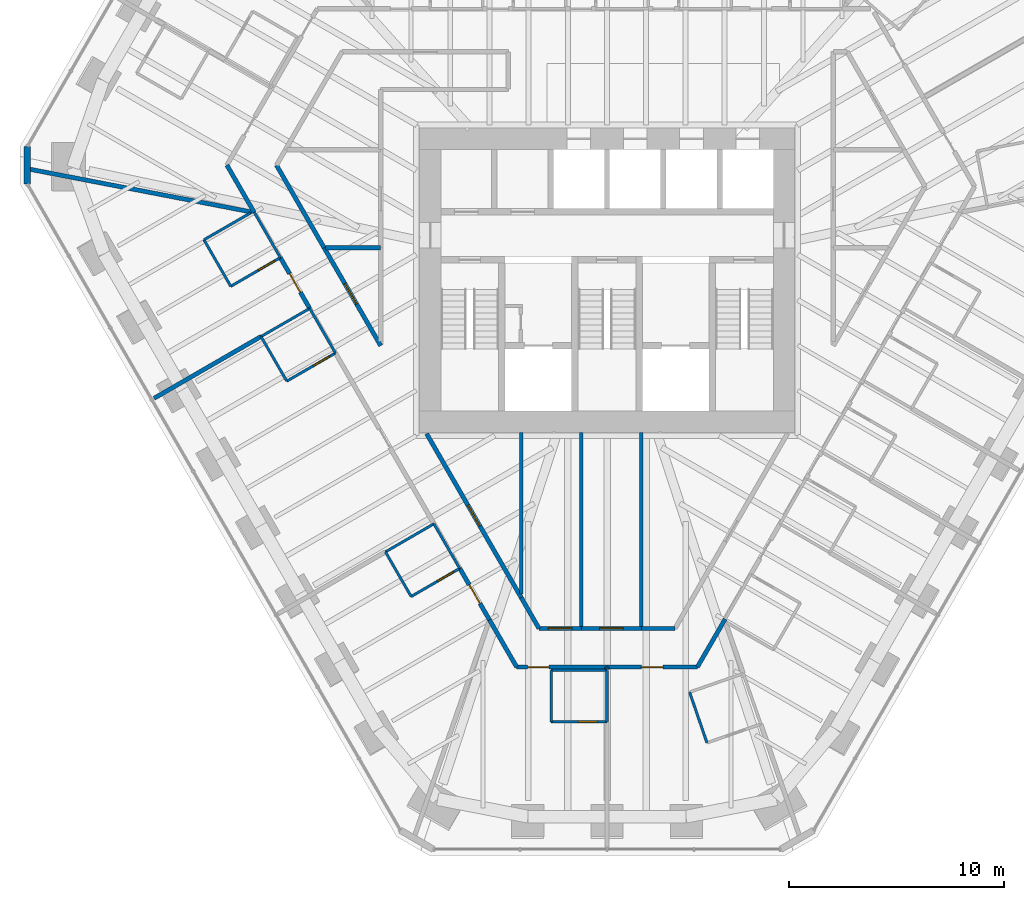
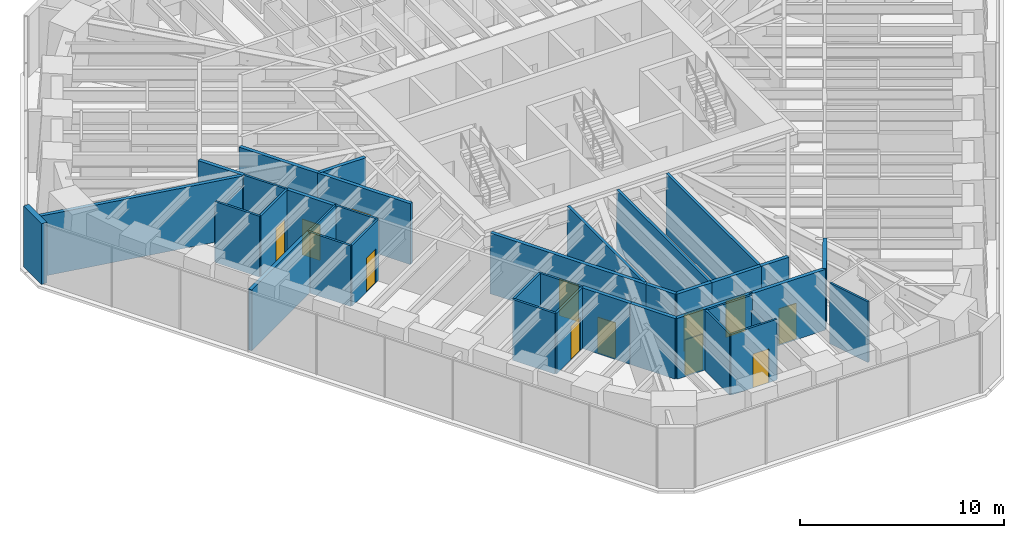
# One storey, part 11 of 17: 39 walls, 12 doors, 12 openings.
"""IFC4 building model written with IfcOpenShell, lengths in metres."""

from ifc_helpers import new_model, si_unit, direction, frame, frame_2d, origin, place, context, subcontext, project, spatial, rectangle, extrude, material, layer, layer_set, type_object, element, fill, save


model = new_model("IFC4")

# Units and contexts
model_context = context("Model", 3, precision=1e-05, world=origin(), true_north=direction((0.0, 1.0)))
body_context = subcontext(model_context, "Body", "Model", "MODEL_VIEW")
ifc_project = project(units=[si_unit("LENGTHUNIT", "METRE"), si_unit("AREAUNIT", "SQUARE_METRE"), si_unit("VOLUMEUNIT", "CUBIC_METRE"), si_unit("PLANEANGLEUNIT", "RADIAN"), si_unit("MASSUNIT", "GRAM", prefix="KILO")], contexts=[model_context])

# Site, building, storey
site_placement = place(None, origin())
site = spatial("IfcSite", under=ifc_project, at=site_placement, CompositionType="ELEMENT")
building_placement = place(site_placement, origin())
building = spatial("IfcBuilding", under=site, at=building_placement, Name="Sandreach Pilgrim Tower", CompositionType="ELEMENT")
storey_placement = place(building_placement, frame((0.0, 0.0, 232.60009765625)))
storey = spatial("IfcBuildingStorey", under=building, at=storey_placement, Name="L58", CompositionType="ELEMENT", Elevation=232.60009765625)

# Walls
ifc_material_1 = material(Name="Gypsum board on steel studs", Category="steel")
ifc_layer_1 = layer(ifc_material_1, 0.14990234375)
ifc_layer_set_1 = layer_set([ifc_layer_1], Name="Back of house wall 150")
wall_type_1 = type_object("IfcWallType", Name="Back of house wall 150", PredefinedType="PARTITIONING", material=ifc_layer_set_1)
wall_1_placement = place(storey_placement, frame((-4.0, -7.10009765625, 0.0), z_axis=(0.0, 0.0, 1.0), x_axis=(0.0, -1.0, 0.0)))
element("IfcWall", 1, at=wall_1_placement, inside=storey, type_object=wall_type_1, Name="Back of house wall L58-060", PredefinedType="PARTITIONING", context=body_context, shape_type="SweptSolid", body=[
    extrude(rectangle(XDim=7.514892578125, YDim=0.14990234375, at=frame_2d((3.75732421875, 0.0))), origin(), (0.0, 0.0, 1.0), 3.639892578125),
])
for number, where, z_axis, x_axis, name in (
    (2, (-1.199951171875, -7.10009765625, 0.0), (0.0, 0.0, 1.0), (0.0, -1.0, 0.0), "Back of house wall L58-069"),
    (3, (1.60009765625, -7.10009765625, 0.0), (0.0, 0.0, 1.0), (0.0, -1.0, 0.0), "Back of house wall L58-078"),
):
    element("IfcWall", number, at=place(storey_placement, frame(where, z_axis=z_axis, x_axis=x_axis)), inside=storey, type_object=wall_type_1, Name=name, PredefinedType="PARTITIONING", context=body_context, shape_type="SweptSolid", body=[
        extrude(rectangle(XDim=9.1298828125, YDim=0.14990234375, at=frame_2d((4.56494140625, 0.0))), origin(), (0.0, 0.0, 1.0), 3.639892578125),
    ])
ifc_material_2 = material(Name="Moisture-resistant gypsum board on steel studs", Category="steel")
ifc_layer_2 = layer(ifc_material_2, 0.1201171875)
ifc_layer_set_2 = layer_set([ifc_layer_2], Name="Bathroom partition 120")
wall_type_2 = type_object("IfcWallType", Name="Bathroom partition 120", PredefinedType="PARTITIONING", material=ifc_layer_set_2)
wall_2_placement = place(storey_placement, frame((-18.7900390625, 1.889892578125, 0.0), z_axis=(0.0, 0.0, 1.0), x_axis=(0.499159685399, -0.866510016372, 0.0)))
element("IfcWall", 4, at=wall_2_placement, inside=storey, type_object=wall_type_2, Name="Bathroom partition L58-008", PredefinedType="PARTITIONING", context=body_context, shape_type="SweptSolid", body=[
    extrude(rectangle(XDim=2.504150390625, YDim=0.1201171875, at=frame_2d((1.251953125, 0.0))), origin(), (0.0, 0.0, 1.0), 3.639892578125),
])

# Wall, opening, door
wall_3_placement = place(storey_placement, frame((-17.5400390625, -0.280029296875, 0.0), z_axis=(0.0, 0.0, 1.0), x_axis=(0.86498992408, 0.501789229896, 0.0)))
wall_3 = element("IfcWall", 5, at=wall_3_placement, inside=storey, type_object=wall_type_2, Name="Bathroom partition L58-013", PredefinedType="PARTITIONING", context=body_context, shape_type="SweptSolid", body=[
    extrude(rectangle(XDim=2.670654296875, YDim=0.1201171875, at=frame_2d((1.33544921875, 0.0))), origin(), (0.0, 0.0, 1.0), 3.639892578125),
])
opening_1_placement = place(wall_3_placement, frame((1.470458984375, 0.0, 0.0)))
opening_1 = element("IfcOpeningElement", 6, at=opening_1_placement, cuts=wall_3, Name="Opening D09-17B", PredefinedType="OPENING", context=body_context, shape_type="SweptSolid", body=[
    extrude(rectangle(XDim=0.89990234375, YDim=2.030029296875, at=frame_2d((0.449951171875, 1.01513671875))), frame((0.0, 0.06005859375, 0.0), z_axis=(0.0, -1.0, 0.0), x_axis=(1.0, 0.0, 0.0)), (0.0, 0.0, 1.0), 0.1201171875),
])
ifc_material_3 = material(Name="Timber door, steel frame", Category="steel")
door_type_1 = type_object("IfcDoorType", Name="Bathroom door", OperationType="SINGLE_SWING_LEFT", PredefinedType="DOOR", material=ifc_material_3)
door_1_placement = place(opening_1_placement, origin())
door_1 = element("IfcDoor", 7, at=door_1_placement, inside=storey, type_object=door_type_1, Name="Door 5817B", OperationType="SINGLE_SWING_RIGHT", OverallHeight=2.030029296875, OverallWidth=0.89990234375, PredefinedType="DOOR", context=body_context, shape_type="SweptSolid", body=[
    extrude(rectangle(XDim=0.89990234375, YDim=2.030029296875, at=frame_2d((0.449951171875, 1.01513671875))), frame((0.0, 0.02490234375, 0.0), z_axis=(0.0, -1.0, 0.0), x_axis=(1.0, 0.0, 0.0)), (0.0, 0.0, 1.0), 0.050048828125),
])
fill(opening_1, door_1)

# Walls
wall_4_placement = place(storey_placement, frame((-16.623779296875, 3.1376953125, 0.0), z_axis=(0.0, 0.0, 1.0), x_axis=(-0.866525185869, -0.499133351175, 0.0)))
element("IfcWall", 8, at=wall_4_placement, inside=storey, type_object=wall_type_2, Name="Bathroom partition L58-014", PredefinedType="PARTITIONING", context=body_context, shape_type="SweptSolid", body=[
    extrude(rectangle(XDim=2.5, YDim=0.1201171875, at=frame_2d((1.25, 0.0))), origin(), (0.0, 0.0, 1.0), 3.037841796875),
])
wall_5_placement = place(storey_placement, frame((-16.44677734375, 3.171875, 0.0), z_axis=(0.0, 0.0, 1.0), x_axis=(0.499242543719, -0.86646227993, 0.0)))
element("IfcWall", 9, at=wall_5_placement, inside=storey, type_object=wall_type_2, Name="Bathroom partition L58-016", PredefinedType="PARTITIONING", context=body_context, shape_type="SweptSolid", body=[
    extrude(rectangle(XDim=2.437255859375, YDim=0.1201171875, at=frame_2d((1.21875, 0.0))), origin(), (0.0, 0.0, 1.0), 3.639892578125),
])
wall_6_placement = place(storey_placement, frame((-16.1298828125, -2.6201171875, 0.0), z_axis=(0.0, 0.0, 1.0), x_axis=(0.499737123639, -0.866177122335, 0.0)))
element("IfcWall", 10, at=wall_6_placement, inside=storey, type_object=wall_type_2, Name="Bathroom partition L58-017", PredefinedType="PARTITIONING", context=body_context, shape_type="SweptSolid", body=[
    extrude(rectangle(XDim=2.401123046875, YDim=0.1201171875, at=frame_2d((1.20068359375, 0.0))), origin(), (0.0, 0.0, 1.0), 3.639892578125),
])
wall_7_placement = place(storey_placement, frame((-16.1298828125, -2.6201171875, 0.0), z_axis=(0.0, 0.0, 1.0), x_axis=(0.866114241029, 0.499846097802, 0.0)))
element("IfcWall", 11, at=wall_7_placement, inside=storey, type_object=wall_type_2, Name="Bathroom partition L58-018", PredefinedType="PARTITIONING", context=body_context, shape_type="SweptSolid", body=[
    extrude(rectangle(XDim=2.620849609375, YDim=0.1201171875, at=frame_2d((1.310546875, 0.0))), origin(), (0.0, 0.0, 1.0), 3.639892578125),
])

# Wall, opening, door
wall_8_placement = place(storey_placement, frame((-14.929931640625, -4.699951171875, 0.0), z_axis=(0.0, 0.0, 1.0), x_axis=(0.866114241029, 0.499846097802, 0.0)))
wall_8 = element("IfcWall", 12, at=wall_8_placement, inside=storey, type_object=wall_type_2, Name="Bathroom partition L58-026", PredefinedType="PARTITIONING", context=body_context, shape_type="SweptSolid", body=[
    extrude(rectangle(XDim=2.620849609375, YDim=0.1201171875, at=frame_2d((1.310546875, 0.0))), origin(), (0.0, 0.0, 1.0), 3.639892578125),
])
opening_2_placement = place(wall_8_placement, frame((1.4208984375, 0.0, 0.0)))
opening_2 = element("IfcOpeningElement", 13, at=opening_2_placement, cuts=wall_8, Name="Opening D09-16B", PredefinedType="OPENING", context=body_context, shape_type="SweptSolid", body=[
    extrude(rectangle(XDim=0.89990234375, YDim=2.030029296875, at=frame_2d((0.449951171875, 1.01513671875))), frame((0.0, 0.06005859375, 0.0), z_axis=(0.0, -1.0, 0.0), x_axis=(1.0, 0.0, 0.0)), (0.0, 0.0, 1.0), 0.1201171875),
])
door_2_placement = place(opening_2_placement, origin())
door_2 = element("IfcDoor", 14, at=door_2_placement, inside=storey, type_object=door_type_1, Name="Door 5816B", OperationType="SINGLE_SWING_RIGHT", OverallHeight=2.030029296875, OverallWidth=0.89990234375, PredefinedType="DOOR", context=body_context, shape_type="SweptSolid", body=[
    extrude(rectangle(XDim=0.89990234375, YDim=2.030029296875, at=frame_2d((0.449951171875, 1.01513671875))), frame((0.0, 0.02490234375, 0.0), z_axis=(0.0, -1.0, 0.0), x_axis=(1.0, 0.0, 0.0)), (0.0, 0.0, 1.0), 0.050048828125),
])
fill(opening_2, door_2)

# Walls
for number, where, z_axis, x_axis, name in (
    (15, (-13.860107421875, -1.31005859375, 0.0), (0.0, 0.0, 1.0), (0.499813401482, -0.866133109688, 0.0), "Bathroom partition L58-029"),
    (16, (-10.330078125, -12.659912109375, 0.0), (0.0, 0.0, 1.0), (0.499693115345, -0.866202511239, 0.0), "Bathroom partition L58-041"),
):
    element("IfcWall", number, at=place(storey_placement, frame(where, z_axis=z_axis, x_axis=x_axis)), inside=storey, type_object=wall_type_2, Name=name, PredefinedType="PARTITIONING", context=body_context, shape_type="SweptSolid", body=[
        extrude(rectangle(XDim=2.4013671875, YDim=0.1201171875, at=frame_2d((1.20068359375, 0.0))), origin(), (0.0, 0.0, 1.0), 3.639892578125),
    ])
wall_9_placement = place(storey_placement, frame((-10.330078125, -12.659912109375, 0.0), z_axis=(0.0, 0.0, 1.0), x_axis=(0.865195830568, 0.501434118073, 0.0)))
element("IfcWall", 17, at=wall_9_placement, inside=storey, type_object=wall_type_2, Name="Bathroom partition L58-042", PredefinedType="PARTITIONING", context=body_context, shape_type="SweptSolid", body=[
    extrude(rectangle(XDim=2.612060546875, YDim=0.1201171875, at=frame_2d((1.30615234375, 0.0))), origin(), (0.0, 0.0, 1.0), 3.639892578125),
])

# Wall, opening, door
wall_10_placement = place(storey_placement, frame((-9.1298828125, -14.739990234375, 0.0), z_axis=(0.0, 0.0, 1.0), x_axis=(0.865131772832, 0.501544629755, 0.0)))
wall_10 = element("IfcWall", 18, at=wall_10_placement, inside=storey, type_object=wall_type_2, Name="Bathroom partition L58-043", PredefinedType="PARTITIONING", context=body_context, shape_type="SweptSolid", body=[
    extrude(rectangle(XDim=2.612060546875, YDim=0.1201171875, at=frame_2d((1.30615234375, 0.0))), origin(), (0.0, 0.0, 1.0), 3.639892578125),
])
opening_3_placement = place(wall_10_placement, frame((1.412109375, 0.0, 0.0)))
opening_3 = element("IfcOpeningElement", 19, at=opening_3_placement, cuts=wall_10, Name="Opening D09-15B", PredefinedType="OPENING", context=body_context, shape_type="SweptSolid", body=[
    extrude(rectangle(XDim=0.89990234375, YDim=2.030029296875, at=frame_2d((0.449951171875, 1.01513671875))), frame((0.0, 0.06005859375, 0.0), z_axis=(0.0, -1.0, 0.0), x_axis=(1.0, 0.0, 0.0)), (0.0, 0.0, 1.0), 0.1201171875),
])
door_3_placement = place(opening_3_placement, origin())
door_3 = element("IfcDoor", 20, at=door_3_placement, inside=storey, type_object=door_type_1, Name="Door 5815B", OperationType="SINGLE_SWING_RIGHT", OverallHeight=2.030029296875, OverallWidth=0.89990234375, PredefinedType="DOOR", context=body_context, shape_type="SweptSolid", body=[
    extrude(rectangle(XDim=0.89990234375, YDim=2.030029296875, at=frame_2d((0.449951171875, 1.01513671875))), frame((0.0, 0.02490234375, 0.0), z_axis=(0.0, -1.0, 0.0), x_axis=(1.0, 0.0, 0.0)), (0.0, 0.0, 1.0), 0.050048828125),
])
fill(opening_3, door_3)

# Wall
wall_11_placement = place(storey_placement, frame((-8.070068359375, -11.35009765625, 0.0), z_axis=(0.0, 0.0, 1.0), x_axis=(0.499737123639, -0.866177122335, 0.0)))
element("IfcWall", 21, at=wall_11_placement, inside=storey, type_object=wall_type_2, Name="Bathroom partition L58-047", PredefinedType="PARTITIONING", context=body_context, shape_type="SweptSolid", body=[
    extrude(rectangle(XDim=2.401123046875, YDim=0.1201171875, at=frame_2d((1.20068359375, 0.0))), origin(), (0.0, 0.0, 1.0), 3.639892578125),
])

# Wall, opening, door
wall_12_placement = place(storey_placement, frame((-2.60009765625, -20.580078125, 0.0), z_axis=(0.0, 0.0, 1.0), x_axis=(1.0, 0.0, 0.0)))
wall_12 = element("IfcWall", 22, at=wall_12_placement, inside=storey, type_object=wall_type_2, Name="Bathroom partition L58-062", PredefinedType="PARTITIONING", context=body_context, shape_type="SweptSolid", body=[
    extrude(rectangle(XDim=2.60009765625, YDim=0.1201171875, at=frame_2d((1.300048828125, 0.0))), origin(), (0.0, 0.0, 1.0), 3.639892578125),
])
opening_4_placement = place(wall_12_placement, frame((1.25, 0.0, 0.0)))
opening_4 = element("IfcOpeningElement", 23, at=opening_4_placement, cuts=wall_12, Name="Opening D09-14B", PredefinedType="OPENING", context=body_context, shape_type="SweptSolid", body=[
    extrude(rectangle(XDim=0.89990234375, YDim=2.030029296875, at=frame_2d((0.449951171875, 1.01513671875))), frame((0.0, 0.06005859375, 0.0), z_axis=(0.0, -1.0, 0.0), x_axis=(1.0, 0.0, 0.0)), (0.0, 0.0, 1.0), 0.1201171875),
])
door_4_placement = place(opening_4_placement, origin())
door_4 = element("IfcDoor", 24, at=door_4_placement, inside=storey, type_object=door_type_1, Name="Door 5814B", OperationType="SINGLE_SWING_RIGHT", OverallHeight=2.030029296875, OverallWidth=0.89990234375, PredefinedType="DOOR", context=body_context, shape_type="SweptSolid", body=[
    extrude(rectangle(XDim=0.89990234375, YDim=2.030029296875, at=frame_2d((0.449951171875, 1.01513671875))), frame((0.0, 0.02490234375, 0.0), z_axis=(0.0, -1.0, 0.0), x_axis=(1.0, 0.0, 0.0)), (0.0, 0.0, 1.0), 0.050048828125),
])
fill(opening_4, door_4)

# Walls
wall_13_placement = place(storey_placement, frame((-2.60009765625, -18.179931640625, 0.0), z_axis=(0.0, 0.0, 1.0), x_axis=(0.0, -1.0, 0.0)))
element("IfcWall", 25, at=wall_13_placement, inside=storey, type_object=wall_type_2, Name="Bathroom partition L58-063", PredefinedType="PARTITIONING", context=body_context, shape_type="SweptSolid", body=[
    extrude(rectangle(XDim=2.400146484375, YDim=0.1201171875, at=frame_2d((1.2001953125, 0.0))), origin(), (0.0, 0.0, 1.0), 3.639892578125),
])
wall_14_placement = place(storey_placement, frame((0.0, -20.580078125, 0.0), z_axis=(0.0, 0.0, 1.0), x_axis=(0.0, 1.0, 0.0)))
element("IfcWall", 26, at=wall_14_placement, inside=storey, type_object=wall_type_2, Name="Bathroom partition L58-073", PredefinedType="PARTITIONING", context=body_context, shape_type="SweptSolid", body=[
    extrude(rectangle(XDim=2.400146484375, YDim=0.1201171875, at=frame_2d((1.2001953125, 0.0))), origin(), (0.0, 0.0, 1.0), 2.7255859375),
])
wall_15_placement = place(storey_placement, frame((0.0, -18.179931640625, 0.0), z_axis=(0.0, 0.0, 1.0), x_axis=(-1.0, 0.0, 0.0)))
element("IfcWall", 27, at=wall_15_placement, inside=storey, type_object=wall_type_2, Name="Bathroom partition L58-074", PredefinedType="PARTITIONING", context=body_context, shape_type="SweptSolid", body=[
    extrude(rectangle(XDim=2.60009765625, YDim=0.1201171875, at=frame_2d((1.300048828125, 0.0))), origin(), (0.0, 0.0, 1.0), 3.639892578125),
])
wall_16_placement = place(storey_placement, frame((3.85009765625, -19.199951171875, 0.0), z_axis=(0.0, 0.0, 1.0), x_axis=(0.324551952924, -0.945867871245, 0.0)))
element("IfcWall", 28, at=wall_16_placement, inside=storey, type_object=wall_type_2, Name="Bathroom partition L58-086", PredefinedType="PARTITIONING", context=body_context, shape_type="SweptSolid", body=[
    extrude(rectangle(XDim=2.4951171875, YDim=0.1201171875, at=frame_2d((1.24755859375, 0.0))), origin(), (0.0, 0.0, 1.0), 3.639892578125),
])
ifc_material_4 = material(Name="Gypsum board on steel studs, two layers each side", Category="steel")
ifc_layer_3 = layer(ifc_material_4, 0.199951171875)
ifc_layer_set_3 = layer_set([ifc_layer_3], Name="Corridor wall 200")
wall_type_3 = type_object("IfcWallType", Name="Corridor wall 200", PredefinedType="PARTITIONING", material=ifc_layer_set_3)
wall_17_placement = place(storey_placement, frame((-17.719970703125, 5.3701171875, 0.0), z_axis=(0.0, 0.0, 1.0), x_axis=(0.499922110319, -0.866070368743, 0.0)))
element("IfcWall", 29, at=wall_17_placement, inside=storey, type_object=wall_type_3, Name="Corridor wall L58-011", PredefinedType="PARTITIONING", context=body_context, shape_type="SweptSolid", body=[
    extrude(rectangle(XDim=2.54052734375, YDim=0.199951171875, at=frame_2d((1.270263671875, 0.0))), origin(), (0.0, 0.0, 1.0), 3.639892578125),
])

# Wall, opening, door
wall_18_placement = place(storey_placement, frame((-15.22998046875, 1.06005859375, 0.0), z_axis=(0.0, 0.0, 1.0), x_axis=(0.500406860043, -0.865790375565, 0.0)))
wall_18 = element("IfcWall", 30, at=wall_18_placement, inside=storey, type_object=wall_type_3, Name="Corridor wall L58-024", PredefinedType="PARTITIONING", context=body_context, shape_type="SweptSolid", body=[
    extrude(rectangle(XDim=2.737548828125, YDim=0.199951171875, at=frame_2d((1.36865234375, 0.0))), origin(), (0.0, 0.0, 1.0), 3.639892578125),
])
opening_5_placement = place(wall_18_placement, frame((0.86865234375, 0.0, 0.0)))
opening_5 = element("IfcOpeningElement", 31, at=opening_5_placement, cuts=wall_18, Name="Opening D10-17", PredefinedType="OPENING", context=body_context, shape_type="SweptSolid", body=[
    extrude(rectangle(XDim=1.0, YDim=2.1298828125, at=frame_2d((0.5, 1.06494140625))), frame((0.0, 0.10009765625, 0.0), z_axis=(0.0, -1.0, 0.0), x_axis=(1.0, 0.0, 0.0)), (0.0, 0.0, 1.0), 0.199951171875),
])
ifc_material_5 = material(Name="Steel door and frame", Category="steel")
door_type_2 = type_object("IfcDoorType", Name="Guest room entry door", OperationType="SINGLE_SWING_LEFT", PredefinedType="DOOR", material=ifc_material_5)
door_5_placement = place(opening_5_placement, origin())
door_5 = element("IfcDoor", 32, at=door_5_placement, inside=storey, type_object=door_type_2, Name="Door 5817", OperationType="SINGLE_SWING_LEFT", OverallHeight=2.1298828125, OverallWidth=1.0, PredefinedType="DOOR", context=body_context, shape_type="SweptSolid", body=[
    extrude(rectangle(XDim=1.0, YDim=2.1298828125, at=frame_2d((0.5, 1.06494140625))), frame((0.0, 0.02490234375, 0.0), z_axis=(0.0, -1.0, 0.0), x_axis=(1.0, 0.0, 0.0)), (0.0, 0.0, 1.0), 0.050048828125),
])
fill(opening_5, door_5)

# Wall
wall_19_placement = place(storey_placement, frame((-13.18994140625, 1.52001953125, 0.0), z_axis=(0.0, 0.0, 1.0), x_axis=(-0.499513190454, 0.866306281036, 0.0)))
element("IfcWall", 33, at=wall_19_placement, inside=storey, type_object=wall_type_3, Name="Corridor wall L58-031", PredefinedType="PARTITIONING", context=body_context, shape_type="SweptSolid", body=[
    extrude(rectangle(XDim=4.4443359375, YDim=0.199951171875, at=frame_2d((2.22216796875, 0.0))), origin(), (0.0, 0.0, 1.0), 3.639892578125),
])

# Wall, opening, door
wall_20_placement = place(storey_placement, frame((-10.550048828125, -3.050048828125, 0.0), z_axis=(0.0, 0.0, 1.0), x_axis=(-0.500193590286, 0.865913605527, 0.0)))
wall_20 = element("IfcWall", 34, at=wall_20_placement, inside=storey, type_object=wall_type_3, Name="Corridor wall L58-037", PredefinedType="PARTITIONING", context=body_context, shape_type="SweptSolid", body=[
    extrude(rectangle(XDim=5.27783203125, YDim=0.199951171875, at=frame_2d((2.638916015625, 0.0))), origin(), (0.0, 0.0, 1.0), 3.639892578125),
])
opening_6_placement = place(wall_20_placement, frame((2.25, 0.0, 0.0)))
opening_6 = element("IfcOpeningElement", 35, at=opening_6_placement, cuts=wall_20, Name="Opening D11H-M02", PredefinedType="OPENING", context=body_context, shape_type="SweptSolid", body=[
    extrude(rectangle(XDim=1.10009765625, YDim=2.199951171875, at=frame_2d((0.550048828125, 1.10009765625))), frame((0.0, 0.10009765625, 0.0), z_axis=(0.0, -1.0, 0.0), x_axis=(1.0, 0.0, 0.0)), (0.0, 0.0, 1.0), 0.199951171875),
])
ifc_material_6 = material(Name="Steel door and frame", Category="steel")
door_type_3 = type_object("IfcDoorType", Name="Back of house door", OperationType="SINGLE_SWING_LEFT", PredefinedType="DOOR", material=ifc_material_6)
door_6_placement = place(opening_6_placement, origin())
door_6 = element("IfcDoor", 36, at=door_6_placement, inside=storey, type_object=door_type_3, Name="Door 58M02", OperationType="SINGLE_SWING_RIGHT", OverallHeight=2.199951171875, OverallWidth=1.10009765625, PredefinedType="DOOR", context=body_context, shape_type="SweptSolid", body=[
    extrude(rectangle(XDim=1.10009765625, YDim=2.199951171875, at=frame_2d((0.550048828125, 1.10009765625))), frame((0.0, 0.02490234375, 0.0), z_axis=(0.0, -1.0, 0.0), x_axis=(1.0, 0.0, 0.0)), (0.0, 0.0, 1.0), 0.050048828125),
])
fill(opening_6, door_6)

wall_21_placement = place(storey_placement, frame((-6.865234375, -13.42724609375, 0.0), z_axis=(0.0, 0.0, 1.0), x_axis=(0.499453176768, -0.866340882226, 0.0)))
wall_21 = element("IfcWall", 37, at=wall_21_placement, inside=storey, type_object=wall_type_3, Name="Corridor wall L58-048", PredefinedType="PARTITIONING", context=body_context, shape_type="SweptSolid", body=[
    extrude(rectangle(XDim=2.7734375, YDim=0.199951171875, at=frame_2d((1.38671875, 0.0))), origin(), (0.0, 0.0, 1.0), 3.639892578125),
])
opening_7_placement = place(wall_21_placement, frame((0.88671875, 0.0, 0.0)))
opening_7 = element("IfcOpeningElement", 38, at=opening_7_placement, cuts=wall_21, Name="Opening D10-15", PredefinedType="OPENING", context=body_context, shape_type="SweptSolid", body=[
    extrude(rectangle(XDim=1.0, YDim=2.1298828125, at=frame_2d((0.5, 1.06494140625))), frame((0.0, 0.10009765625, 0.0), z_axis=(0.0, -1.0, 0.0), x_axis=(1.0, 0.0, 0.0)), (0.0, 0.0, 1.0), 0.199951171875),
])
door_7_placement = place(opening_7_placement, origin())
door_7 = element("IfcDoor", 39, at=door_7_placement, inside=storey, type_object=door_type_2, Name="Door 5815", OperationType="SINGLE_SWING_LEFT", OverallHeight=2.1298828125, OverallWidth=1.0, PredefinedType="DOOR", context=body_context, shape_type="SweptSolid", body=[
    extrude(rectangle(XDim=1.0, YDim=2.1298828125, at=frame_2d((0.5, 1.06494140625))), frame((0.0, 0.02490234375, 0.0), z_axis=(0.0, -1.0, 0.0), x_axis=(1.0, 0.0, 0.0)), (0.0, 0.0, 1.0), 0.050048828125),
])
fill(opening_7, door_7)

# Wall
wall_22_placement = place(storey_placement, frame((-5.47998046875, -15.830078125, 0.0), z_axis=(0.0, 0.0, 1.0), x_axis=(0.499963722229, -0.866046347752, 0.0)))
element("IfcWall", 40, at=wall_22_placement, inside=storey, type_object=wall_type_3, Name="Corridor wall L58-053", PredefinedType="PARTITIONING", context=body_context, shape_type="SweptSolid", body=[
    extrude(rectangle(XDim=2.540283203125, YDim=0.199951171875, at=frame_2d((1.27001953125, 0.0))), origin(), (0.0, 0.0, 1.0), 3.639892578125),
])

# Wall, opening, door
wall_23_placement = place(storey_placement, frame((-4.2099609375, -18.030029296875, 0.0), z_axis=(0.0, 0.0, 1.0), x_axis=(1.0, 0.0, 0.0)))
wall_23 = element("IfcWall", 41, at=wall_23_placement, inside=storey, type_object=wall_type_3, Name="Corridor wall L58-058", PredefinedType="PARTITIONING", context=body_context, shape_type="SweptSolid", body=[
    extrude(rectangle(XDim=4.2099609375, YDim=0.199951171875, at=frame_2d((2.10498046875, 0.0))), origin(), (0.0, 0.0, 1.0), 3.639892578125),
])
opening_8_placement = place(wall_23_placement, frame((0.5048828125, 0.0, 0.0)))
opening_8 = element("IfcOpeningElement", 42, at=opening_8_placement, cuts=wall_23, Name="Opening D10-14", PredefinedType="OPENING", context=body_context, shape_type="SweptSolid", body=[
    extrude(rectangle(XDim=1.0, YDim=2.1298828125, at=frame_2d((0.5, 1.06494140625))), frame((0.0, 0.10009765625, 0.0), z_axis=(0.0, -1.0, 0.0), x_axis=(1.0, 0.0, 0.0)), (0.0, 0.0, 1.0), 0.199951171875),
])
door_8_placement = place(opening_8_placement, origin())
door_8 = element("IfcDoor", 43, at=door_8_placement, inside=storey, type_object=door_type_2, Name="Door 5814", OperationType="SINGLE_SWING_LEFT", OverallHeight=2.1298828125, OverallWidth=1.0, PredefinedType="DOOR", context=body_context, shape_type="SweptSolid", body=[
    extrude(rectangle(XDim=1.0, YDim=2.1298828125, at=frame_2d((0.5, 1.06494140625))), frame((0.0, 0.02490234375, 0.0), z_axis=(0.0, -1.0, 0.0), x_axis=(1.0, 0.0, 0.0)), (0.0, 0.0, 1.0), 0.050048828125),
])
fill(opening_8, door_8)

wall_24_placement = place(storey_placement, frame((-4.0, -14.7900390625, 0.0), z_axis=(0.0, 0.0, 1.0), x_axis=(-0.499916512745, 0.866073599808, 0.0)))
wall_24 = element("IfcWall", 44, at=wall_24_placement, inside=storey, type_object=wall_type_3, Name="Corridor wall L58-059", PredefinedType="PARTITIONING", context=body_context, shape_type="SweptSolid", body=[
    extrude(rectangle(XDim=8.8212890625, YDim=0.199951171875, at=frame_2d((4.41064453125, 0.0))), origin(), (0.0, 0.0, 1.0), 3.639892578125),
])
opening_9_placement = place(wall_24_placement, frame((3.860595703125, 0.0, 0.0)))
opening_9 = element("IfcOpeningElement", 45, at=opening_9_placement, cuts=wall_24, Name="Opening D11H-S1", PredefinedType="OPENING", context=body_context, shape_type="SweptSolid", body=[
    extrude(rectangle(XDim=1.10009765625, YDim=2.199951171875, at=frame_2d((0.550048828125, 1.10009765625))), frame((0.0, 0.10009765625, 0.0), z_axis=(0.0, -1.0, 0.0), x_axis=(1.0, 0.0, 0.0)), (0.0, 0.0, 1.0), 0.199951171875),
])
door_9_placement = place(opening_9_placement, origin())
door_9 = element("IfcDoor", 46, at=door_9_placement, inside=storey, type_object=door_type_3, Name="Door 58S1", OperationType="SINGLE_SWING_LEFT", OverallHeight=2.199951171875, OverallWidth=1.10009765625, PredefinedType="DOOR", context=body_context, shape_type="SweptSolid", body=[
    extrude(rectangle(XDim=1.10009765625, YDim=2.199951171875, at=frame_2d((0.550048828125, 1.10009765625))), frame((0.0, 0.02490234375, 0.0), z_axis=(0.0, -1.0, 0.0), x_axis=(1.0, 0.0, 0.0)), (0.0, 0.0, 1.0), 0.050048828125),
])
fill(opening_9, door_9)

# Wall
wall_25_placement = place(storey_placement, frame((-3.169921875, -16.22998046875, 0.0), z_axis=(0.0, 0.0, 1.0), x_axis=(-0.499425709803, 0.866356716594, 0.0)))
element("IfcWall", 47, at=wall_25_placement, inside=storey, type_object=wall_type_3, Name="Corridor wall L58-061", PredefinedType="PARTITIONING", context=body_context, shape_type="SweptSolid", body=[
    extrude(rectangle(XDim=1.662109375, YDim=0.199951171875, at=frame_2d((0.8310546875, 0.0))), origin(), (0.0, 0.0, 1.0), 3.639892578125),
])

# Wall, opening, door
wall_26_placement = place(storey_placement, frame((-1.199951171875, -16.22998046875, 0.0), z_axis=(0.0, 0.0, 1.0), x_axis=(-1.0, 0.0, 0.0)))
wall_26 = element("IfcWall", 48, at=wall_26_placement, inside=storey, type_object=wall_type_3, Name="Corridor wall L58-068", PredefinedType="PARTITIONING", context=body_context, shape_type="SweptSolid", body=[
    extrude(rectangle(XDim=1.969970703125, YDim=0.199951171875, at=frame_2d((0.98486328125, 0.0))), origin(), (0.0, 0.0, 1.0), 3.639892578125),
])
opening_10_placement = place(wall_26_placement, frame((0.43505859375, 0.0, 0.0)))
opening_10 = element("IfcOpeningElement", 49, at=opening_10_placement, cuts=wall_26, Name="Opening D11H-S2", PredefinedType="OPENING", context=body_context, shape_type="SweptSolid", body=[
    extrude(rectangle(XDim=1.10009765625, YDim=2.199951171875, at=frame_2d((0.550048828125, 1.10009765625))), frame((0.0, 0.10009765625, 0.0), z_axis=(0.0, -1.0, 0.0), x_axis=(1.0, 0.0, 0.0)), (0.0, 0.0, 1.0), 0.199951171875),
])
door_10_placement = place(opening_10_placement, origin())
door_10 = element("IfcDoor", 50, at=door_10_placement, inside=storey, type_object=door_type_3, Name="Door 58S2", OperationType="SINGLE_SWING_LEFT", OverallHeight=2.199951171875, OverallWidth=1.10009765625, PredefinedType="DOOR", context=body_context, shape_type="SweptSolid", body=[
    extrude(rectangle(XDim=1.10009765625, YDim=2.199951171875, at=frame_2d((0.550048828125, 1.10009765625))), frame((0.0, 0.02490234375, 0.0), z_axis=(0.0, -1.0, 0.0), x_axis=(1.0, 0.0, 0.0)), (0.0, 0.0, 1.0), 0.050048828125),
])
fill(opening_10, door_10)

wall_27_placement = place(storey_placement, frame((0.0, -18.030029296875, 0.0), z_axis=(0.0, 0.0, 1.0), x_axis=(1.0, 0.0, 0.0)))
wall_27 = element("IfcWall", 51, at=wall_27_placement, inside=storey, type_object=wall_type_3, Name="Corridor wall L58-076", PredefinedType="PARTITIONING", context=body_context, shape_type="SweptSolid", body=[
    extrude(rectangle(XDim=4.2099609375, YDim=0.199951171875, at=frame_2d((2.10498046875, 0.0))), origin(), (0.0, 0.0, 1.0), 3.639892578125),
])
opening_11_placement = place(wall_27_placement, frame((1.60498046875, 0.0, 0.0)))
opening_11 = element("IfcOpeningElement", 52, at=opening_11_placement, cuts=wall_27, Name="Opening D10-13", PredefinedType="OPENING", context=body_context, shape_type="SweptSolid", body=[
    extrude(rectangle(XDim=1.0, YDim=2.1298828125, at=frame_2d((0.5, 1.06494140625))), frame((0.0, 0.10009765625, 0.0), z_axis=(0.0, -1.0, 0.0), x_axis=(1.0, 0.0, 0.0)), (0.0, 0.0, 1.0), 0.199951171875),
])
door_11_placement = place(opening_11_placement, origin())
door_11 = element("IfcDoor", 53, at=door_11_placement, inside=storey, type_object=door_type_2, Name="Door 5813", OperationType="SINGLE_SWING_LEFT", OverallHeight=2.1298828125, OverallWidth=1.0, PredefinedType="DOOR", context=body_context, shape_type="SweptSolid", body=[
    extrude(rectangle(XDim=1.0, YDim=2.1298828125, at=frame_2d((0.5, 1.06494140625))), frame((0.0, 0.02490234375, 0.0), z_axis=(0.0, -1.0, 0.0), x_axis=(1.0, 0.0, 0.0)), (0.0, 0.0, 1.0), 0.050048828125),
])
fill(opening_11, door_11)

wall_28_placement = place(storey_placement, frame((1.60009765625, -16.22998046875, 0.0), z_axis=(0.0, 0.0, 1.0), x_axis=(-1.0, 0.0, 0.0)))
wall_28 = element("IfcWall", 54, at=wall_28_placement, inside=storey, type_object=wall_type_3, Name="Corridor wall L58-077", PredefinedType="PARTITIONING", context=body_context, shape_type="SweptSolid", body=[
    extrude(rectangle(XDim=2.800048828125, YDim=0.199951171875, at=frame_2d((1.39990234375, 0.0))), origin(), (0.0, 0.0, 1.0), 3.639892578125),
])
opening_12_placement = place(wall_28_placement, frame((0.85009765625, 0.0, 0.0)))
opening_12 = element("IfcOpeningElement", 55, at=opening_12_placement, cuts=wall_28, Name="Opening D11H-S3", PredefinedType="OPENING", context=body_context, shape_type="SweptSolid", body=[
    extrude(rectangle(XDim=1.10009765625, YDim=2.199951171875, at=frame_2d((0.550048828125, 1.10009765625))), frame((0.0, 0.10009765625, 0.0), z_axis=(0.0, -1.0, 0.0), x_axis=(1.0, 0.0, 0.0)), (0.0, 0.0, 1.0), 0.199951171875),
])
door_12_placement = place(opening_12_placement, origin())
door_12 = element("IfcDoor", 56, at=door_12_placement, inside=storey, type_object=door_type_3, Name="Door 58S3", OperationType="SINGLE_SWING_LEFT", OverallHeight=2.199951171875, OverallWidth=1.10009765625, PredefinedType="DOOR", context=body_context, shape_type="SweptSolid", body=[
    extrude(rectangle(XDim=1.10009765625, YDim=2.199951171875, at=frame_2d((0.550048828125, 1.10009765625))), frame((0.0, 0.02490234375, 0.0), z_axis=(0.0, -1.0, 0.0), x_axis=(1.0, 0.0, 0.0)), (0.0, 0.0, 1.0), 0.050048828125),
])
fill(opening_12, door_12)

# Walls
wall_29_placement = place(storey_placement, frame((3.169921875, -16.22998046875, 0.0), z_axis=(0.0, 0.0, 1.0), x_axis=(-1.0, 0.0, 0.0)))
element("IfcWall", 57, at=wall_29_placement, inside=storey, type_object=wall_type_3, Name="Corridor wall L58-083", PredefinedType="PARTITIONING", context=body_context, shape_type="SweptSolid", body=[
    extrude(rectangle(XDim=1.56982421875, YDim=0.199951171875, at=frame_2d((0.784912109375, 0.0))), origin(), (0.0, 0.0, 1.0), 3.639892578125),
])
wall_30_placement = place(storey_placement, frame((5.510009765625, -15.7900390625, 0.0), z_axis=(0.0, 0.0, 1.0), x_axis=(-0.501964949025, -0.864887963814, 0.0)))
element("IfcWall", 58, at=wall_30_placement, inside=storey, type_object=wall_type_3, Name="Corridor wall L58-088", PredefinedType="PARTITIONING", context=body_context, shape_type="SweptSolid", body=[
    extrude(rectangle(XDim=2.58984375, YDim=0.199951171875, at=frame_2d((1.294921875, 0.0))), origin(), (0.0, 0.0, 1.0), 3.639892578125),
])
ifc_material_7 = material(Name="Double steel stud acoustic wall, gypsum board", Category="steel")
ifc_layer_4 = layer(ifc_material_7, 0.199951171875)
ifc_layer_set_4 = layer_set([ifc_layer_4], Name="Party wall 200")
wall_type_4 = type_object("IfcWallType", Name="Party wall 200", PredefinedType="PARTITIONING", material=ifc_layer_set_4)
wall_31_placement = place(storey_placement, frame((-27.04052734375, 5.204345703125, 0.0), z_axis=(0.0, 0.0, 1.0), x_axis=(0.981884490433, -0.18948046719, 0.0)))
element("IfcWall", 59, at=wall_31_placement, inside=storey, type_object=wall_type_4, Name="Party wall L58-001", PredefinedType="PARTITIONING", context=body_context, shape_type="SweptSolid", body=[
    extrude(rectangle(XDim=10.68408203125, YDim=0.199951171875, at=frame_2d((5.342041015625, 0.0))), origin(), (0.0, 0.0, 1.0), 3.639892578125),
])
wall_32_placement = place(storey_placement, frame((-21.115966796875, -5.5, 0.0), z_axis=(0.0, 0.0, 1.0), x_axis=(0.865919350456, 0.50018364478, 0.0)))
element("IfcWall", 60, at=wall_32_placement, inside=storey, type_object=wall_type_4, Name="Party wall L58-004", PredefinedType="PARTITIONING", context=body_context, shape_type="SweptSolid", body=[
    extrude(rectangle(XDim=5.758056640625, YDim=0.199951171875, at=frame_2d((2.87890625, 0.0))), origin(), (0.0, 0.0, 1.0), 3.639892578125),
])
wall_33_placement = place(storey_placement, frame((-10.56005859375, 1.52001953125, 0.0), z_axis=(0.0, 0.0, 1.0), x_axis=(-1.0, 0.0, 0.0)))
element("IfcWall", 61, at=wall_33_placement, inside=storey, type_object=wall_type_4, Name="Party wall L58-036", PredefinedType="PARTITIONING", context=body_context, shape_type="SweptSolid", body=[
    extrude(rectangle(XDim=2.56005859375, YDim=0.199951171875, at=frame_2d((1.280029296875, 0.0))), origin(), (0.0, 0.0, 1.0), 3.639892578125),
])
wall_34_placement = place(storey_placement, frame((0.0, -18.1201171875, 0.0), z_axis=(0.0, 0.0, 1.0), x_axis=(0.0, 1.0, 0.0)))
element("IfcWall", 62, at=wall_34_placement, inside=storey, type_object=wall_type_4, Name="Party wall L58-075", PredefinedType="PARTITIONING", context=body_context, shape_type="SweptSolid", body=[
    extrude(rectangle(XDim=0.090087890625, YDim=0.199951171875, at=frame_2d((0.044921875, 0.0))), origin(), (0.0, 0.0, 1.0), 3.639892578125),
])
ifc_material_8 = material(Name="Terracotta rainscreen on concrete", Category="masonry")
ifc_layer_5 = layer(ifc_material_8, 0.300048828125)
ifc_layer_set_5 = layer_set([ifc_layer_5], Name="Terracotta chamfer pier")
wall_type_5 = type_object("IfcWallType", Name="Terracotta chamfer pier", PredefinedType="SOLIDWALL", material=ifc_layer_set_5)
wall_35_placement = place(storey_placement, frame((-27.02001953125, 4.47998046875, 0.0), z_axis=(0.0, 0.0, 1.0), x_axis=(0.0, 1.0, 0.0)))
element("IfcWall", 63, at=wall_35_placement, inside=storey, type_object=wall_type_5, Name="Chamfer pier L58 SW", PredefinedType="SOLIDWALL", context=body_context, shape_type="SweptSolid", body=[
    extrude(rectangle(XDim=1.77001953125, YDim=0.300048828125, at=frame_2d((0.885009765625, 0.0))), origin(), (0.0, 0.0, 1.0), 3.639892578125),
])

save(model, "model.ifc")
